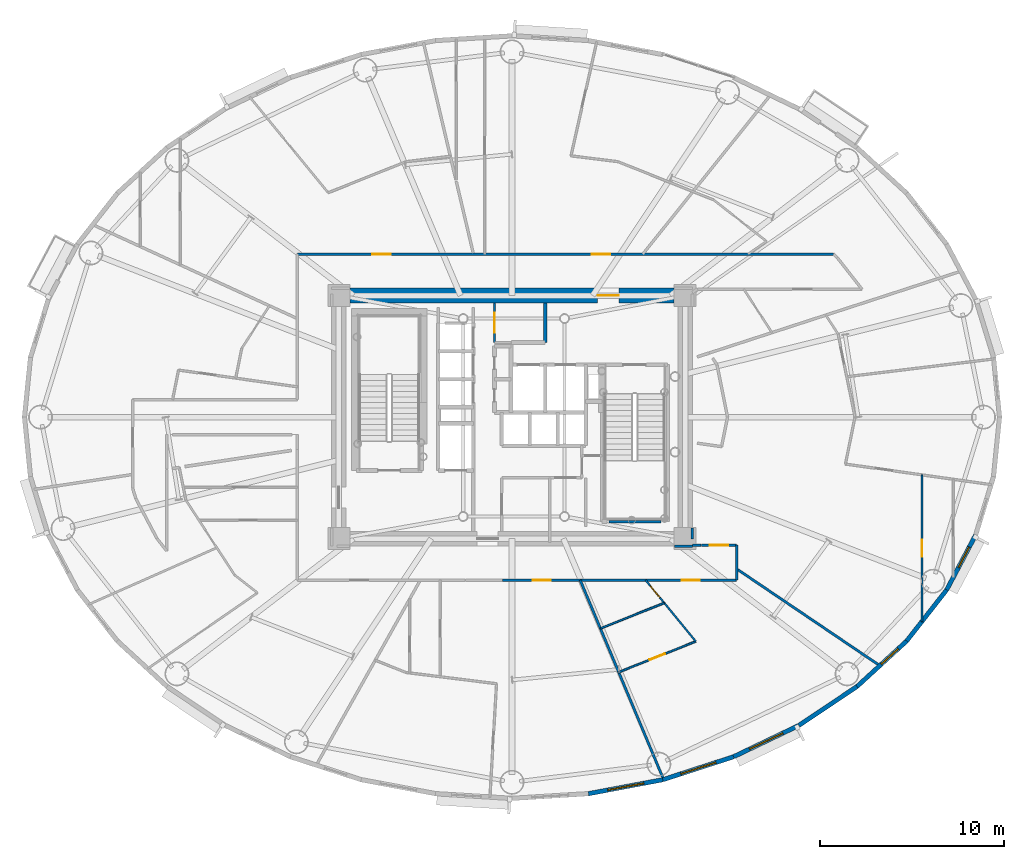
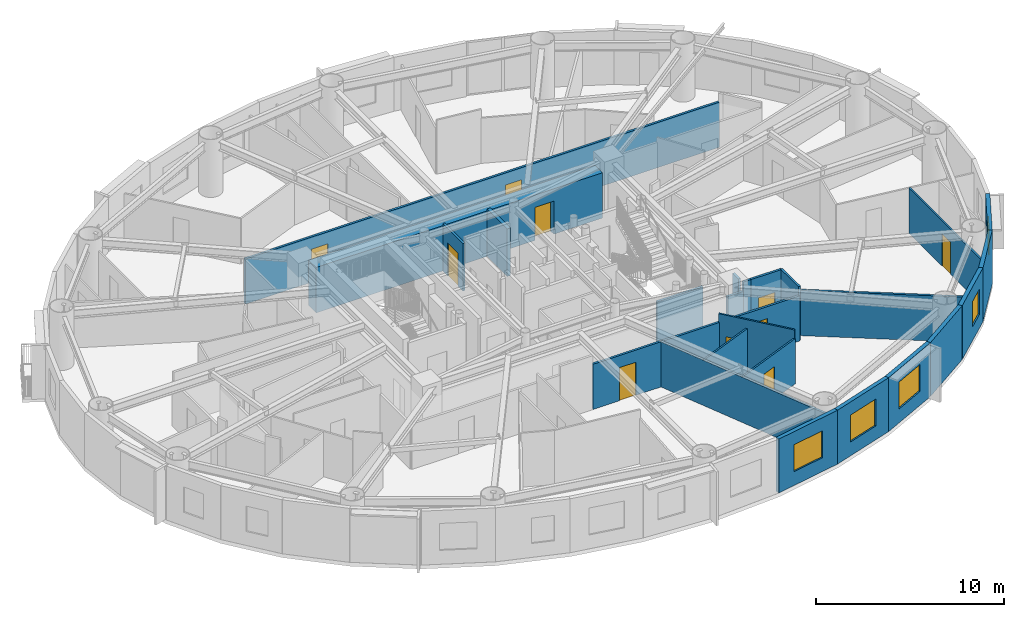
# One storey, part 12 of 21: 24 walls, 10 doors, 5 windows, 15 openings.
"""IFC4 building model written with IfcOpenShell, lengths in metres."""

from ifc_helpers import new_model, si_unit, direction, frame, frame_2d, origin, origin_2d, place, context, subcontext, project, spatial, rectangle, extrude, source, transform, mapped, material, layer, layer_set, type_object, element, fill, save


model = new_model("IFC4")

# Units and contexts
model_context = context("Model", 3, precision=1e-05, world=origin(), true_north=direction((0.0, 1.0)))
body_context = subcontext(model_context, "Body", "Model", "MODEL_VIEW")
ifc_project = project(units=[si_unit("LENGTHUNIT", "METRE"), si_unit("AREAUNIT", "SQUARE_METRE"), si_unit("VOLUMEUNIT", "CUBIC_METRE"), si_unit("PLANEANGLEUNIT", "RADIAN"), si_unit("MASSUNIT", "GRAM", prefix="KILO")], contexts=[model_context])

# Site, building, storey
site_placement = place(None, origin())
site = spatial("IfcSite", under=ifc_project, at=site_placement, CompositionType="ELEMENT")
building_placement = place(site_placement, origin())
building = spatial("IfcBuilding", under=site, at=building_placement, Name="Linh Dai School and Residence Tower", CompositionType="ELEMENT")
storey_placement = place(building_placement, frame((0.0, 0.0, 156.14990234375)))
storey = spatial("IfcBuildingStorey", under=building, at=storey_placement, Name="L37", CompositionType="ELEMENT", Elevation=156.14990234375)

# Wall, opening, window
ifc_material_1 = material(Name="Precast Concrete B45 (C35/45)", Category="concrete")
ifc_layer_1 = layer(ifc_material_1, 0.239990234375)
ifc_layer_set_1 = layer_set([ifc_layer_1], Name="Precast Concrete B45 (C35/45)")
wall_type_1 = type_object("IfcWallType", Name="EW-TC-240", PredefinedType="SOLIDWALL", material=ifc_layer_set_1)
wall_1_placement = place(storey_placement, frame((44.18896484375, 7.310546875, 0.0), z_axis=(0.0, 0.0, 1.0), x_axis=(-0.982788108205, -0.184736391573, 0.0)))
wall_1 = element("IfcWall", 1, at=wall_1_placement, inside=storey, type_object=wall_type_1, Name="L37 Terracotta Exterior Wall 32", PredefinedType="SOLIDWALL", context=body_context, shape_type="SweptSolid", body=[
    extrude(rectangle(XDim=4.114013671875, YDim=0.239990234375, at=frame_2d((2.05712890625, 0.0))), origin(), (0.0, 0.0, 1.0), 3.5),
])
opening_1_placement = place(wall_1_placement, frame((1.044677734375, 0.0, 0.89990234375)))
opening_1 = element("IfcOpeningElement", 2, at=opening_1_placement, cuts=wall_1, Name="Opening W1", PredefinedType="OPENING", context=body_context, shape_type="SweptSolid", body=[
    extrude(rectangle(XDim=2.0, YDim=1.75, at=origin_2d()), frame((1.0, 0.1298828125, 0.875), z_axis=(0.0, -1.0, 0.0), x_axis=(1.0, 0.0, 0.0)), (0.0, 0.0, 1.0), 0.260009765625),
])
ifc_material_2 = material(Name="Double Low-E Insulated Glazing", Category="glass")
window_type_1 = type_object("IfcWindowType", Name="WN-RES-2000x1750", PartitioningType="DOUBLE_PANEL_VERTICAL", PredefinedType="WINDOW", material=ifc_material_2)
shared_shape_1 = source(origin(), body_context, "Body", "SweptSolid", [
    extrude(rectangle(XDim=2.0, YDim=1.75, at=origin_2d()), frame((1.0, 0.030029296875, 0.875), z_axis=(0.0, -1.0, 0.0), x_axis=(1.0, 0.0, 0.0)), (0.0, 0.0, 1.0), 0.06005859375),
])
window_1_placement = place(opening_1_placement, origin())
window_1 = element("IfcWindow", 3, at=window_1_placement, inside=storey, type_object=window_type_1, Name="L37 Exterior Window 32.1", OverallHeight=1.75, OverallWidth=2.0, PartitioningType="DOUBLE_PANEL_VERTICAL", PredefinedType="WINDOW", context=body_context, shape_type="MappedRepresentation", body=[
    mapped(shared_shape_1, transform((0.0, 0.0, 0.0), x_axis=(1.0, 0.0, 0.0), y_axis=(0.0, 1.0, 0.0), z_axis=(0.0, 0.0, 1.0), scale=1.0)),
])
fill(opening_1, window_1)

wall_2_placement = place(storey_placement, frame((48.02978515625, 8.556396484375, 0.0), z_axis=(0.0, 0.0, 1.0), x_axis=(-0.951209870236, -0.30854462038, 0.0)))
wall_2 = element("IfcWall", 4, at=wall_2_placement, inside=storey, type_object=wall_type_1, Name="L37 Terracotta Exterior Wall 33", PredefinedType="SOLIDWALL", context=body_context, shape_type="SweptSolid", body=[
    extrude(rectangle(XDim=4.037841796875, YDim=0.239990234375, at=frame_2d((2.01904296875, 0.0))), origin(), (0.0, 0.0, 1.0), 3.5),
])
opening_2_placement = place(wall_2_placement, frame((1.00634765625, 0.0, 0.89990234375)))
opening_2 = element("IfcOpeningElement", 5, at=opening_2_placement, cuts=wall_2, Name="Opening W1", PredefinedType="OPENING", context=body_context, shape_type="SweptSolid", body=[
    extrude(rectangle(XDim=2.0, YDim=1.75, at=origin_2d()), frame((1.0, 0.1298828125, 0.875), z_axis=(0.0, -1.0, 0.0), x_axis=(1.0, 0.0, 0.0)), (0.0, 0.0, 1.0), 0.260009765625),
])
window_2_placement = place(opening_2_placement, origin())
window_2 = element("IfcWindow", 6, at=window_2_placement, inside=storey, type_object=window_type_1, Name="L37 Exterior Window 33.1", OverallHeight=1.75, OverallWidth=2.0, PartitioningType="DOUBLE_PANEL_VERTICAL", PredefinedType="WINDOW", context=body_context, shape_type="MappedRepresentation", body=[
    mapped(shared_shape_1, transform((0.0, 0.0, 0.0), x_axis=(1.0, 0.0, 0.0), y_axis=(0.0, 1.0, 0.0), z_axis=(0.0, 0.0, 1.0), scale=1.0)),
])
fill(opening_2, window_2)

wall_3_placement = place(storey_placement, frame((51.5732421875, 10.2568359375, 0.0), z_axis=(0.0, 0.0, 1.0), x_axis=(-0.901564733809, -0.432644231155, 0.0)))
wall_3 = element("IfcWall", 7, at=wall_3_placement, inside=storey, type_object=wall_type_1, Name="L37 Terracotta Exterior Wall 34", PredefinedType="SOLIDWALL", context=body_context, shape_type="SweptSolid", body=[
    extrude(rectangle(XDim=3.930419921875, YDim=0.239990234375, at=frame_2d((1.96533203125, 0.0))), origin(), (0.0, 0.0, 1.0), 3.5),
])
opening_3_placement = place(wall_3_placement, frame((0.96533203125, 0.0, 0.89990234375)))
opening_3 = element("IfcOpeningElement", 8, at=opening_3_placement, cuts=wall_3, Name="Opening W1", PredefinedType="OPENING", context=body_context, shape_type="SweptSolid", body=[
    extrude(rectangle(XDim=2.0, YDim=1.75, at=origin_2d()), frame((1.0, 0.1298828125, 0.875), z_axis=(0.0, -1.0, 0.0), x_axis=(1.0, 0.0, 0.0)), (0.0, 0.0, 1.0), 0.260009765625),
])
window_3_placement = place(opening_3_placement, origin())
window_3 = element("IfcWindow", 9, at=window_3_placement, inside=storey, type_object=window_type_1, Name="L37 Exterior Window 34.1", OverallHeight=1.75, OverallWidth=2.0, PartitioningType="DOUBLE_PANEL_VERTICAL", PredefinedType="WINDOW", context=body_context, shape_type="MappedRepresentation", body=[
    mapped(shared_shape_1, transform((0.0, 0.0, 0.0), x_axis=(1.0, 0.0, 0.0), y_axis=(0.0, 1.0, 0.0), z_axis=(0.0, 0.0, 1.0), scale=1.0)),
])
fill(opening_3, window_3)

# Wall
wall_4_placement = place(storey_placement, frame((54.73193359375, 12.369384765625, 0.0), z_axis=(0.0, 0.0, 1.0), x_axis=(-0.831228998277, -0.555930168657, 0.0)))
element("IfcWall", 10, at=wall_4_placement, inside=storey, type_object=wall_type_1, Name="L37 Terracotta Exterior Wall 35", PredefinedType="SOLIDWALL", context=body_context, shape_type="SweptSolid", body=[
    extrude(rectangle(XDim=3.800048828125, YDim=0.239990234375, at=frame_2d((1.89990234375, 0.0))), origin(), (0.0, 0.0, 1.0), 3.5),
])

# Wall, opening, window
wall_5_placement = place(storey_placement, frame((57.42822265625, 14.841552734375, 0.0), z_axis=(0.0, 0.0, 1.0), x_axis=(-0.737076565834, -0.675809245349, 0.0)))
wall_5 = element("IfcWall", 11, at=wall_5_placement, inside=storey, type_object=wall_type_1, Name="L37 Terracotta Exterior Wall 36", PredefinedType="SOLIDWALL", context=body_context, shape_type="SweptSolid", body=[
    extrude(rectangle(XDim=3.658203125, YDim=0.239990234375, at=frame_2d((1.8291015625, 0.0))), origin(), (0.0, 0.0, 1.0), 3.5),
])
opening_4_placement = place(wall_5_placement, frame((0.62060546875, 0.0, 0.89990234375)))
opening_4 = element("IfcOpeningElement", 12, at=opening_4_placement, cuts=wall_5, Name="Opening W3", PredefinedType="OPENING", context=body_context, shape_type="SweptSolid", body=[
    extrude(rectangle(XDim=1.25, YDim=1.64990234375, at=origin_2d()), frame((0.625, 0.1298828125, 0.824951171875), z_axis=(0.0, -1.0, 0.0), x_axis=(1.0, 0.0, 0.0)), (0.0, 0.0, 1.0), 0.260009765625),
])
window_type_2 = type_object("IfcWindowType", Name="WN-RES-1250x1650", PartitioningType="SINGLE_PANEL", PredefinedType="WINDOW", material=ifc_material_2)
shared_shape_2 = source(origin(), body_context, "Body", "SweptSolid", [
    extrude(rectangle(XDim=1.25, YDim=1.64990234375, at=origin_2d()), frame((0.625, 0.030029296875, 0.824951171875), z_axis=(0.0, -1.0, 0.0), x_axis=(1.0, 0.0, 0.0)), (0.0, 0.0, 1.0), 0.06005859375),
])
window_4_placement = place(opening_4_placement, origin())
window_4 = element("IfcWindow", 13, at=window_4_placement, inside=storey, type_object=window_type_2, Name="L37 Dwelling Window U3708-LIV", OverallHeight=1.64990234375, OverallWidth=1.25, PartitioningType="SINGLE_PANEL", PredefinedType="WINDOW", context=body_context, shape_type="MappedRepresentation", body=[
    mapped(shared_shape_2, transform((0.0, 0.0, 0.0), x_axis=(1.0, 0.0, 0.0), y_axis=(0.0, 1.0, 0.0), z_axis=(0.0, 0.0, 1.0), scale=1.0)),
])
fill(opening_4, window_4)

# Wall
wall_6_placement = place(storey_placement, frame((59.595947265625, 17.611572265625, 0.0), z_axis=(0.0, 0.0, 1.0), x_axis=(-0.616287674549, -0.787521112224, 0.0)))
element("IfcWall", 14, at=wall_6_placement, inside=storey, type_object=wall_type_1, Name="L37 Terracotta Exterior Wall 37", PredefinedType="SOLIDWALL", context=body_context, shape_type="SweptSolid", body=[
    extrude(rectangle(XDim=3.517333984375, YDim=0.239990234375, at=frame_2d((1.7587890625, 0.0))), origin(), (0.0, 0.0, 1.0), 3.5),
])

# Wall, opening, window
wall_7_placement = place(storey_placement, frame((61.1826171875, 20.611083984375, 0.0), z_axis=(0.0, 0.0, 1.0), x_axis=(-0.467586874938, -0.88394712194, 0.0)))
wall_7 = element("IfcWall", 15, at=wall_7_placement, inside=storey, type_object=wall_type_1, Name="L37 Terracotta Exterior Wall 38", PredefinedType="SOLIDWALL", context=body_context, shape_type="SweptSolid", body=[
    extrude(rectangle(XDim=3.393310546875, YDim=0.239990234375, at=frame_2d((1.69677734375, 0.0))), origin(), (0.0, 0.0, 1.0), 3.5),
])
opening_5_placement = place(wall_7_placement, frame((0.75927734375, 0.0, 0.89990234375)))
opening_5 = element("IfcOpeningElement", 16, at=opening_5_placement, cuts=wall_7, Name="Opening W3", PredefinedType="OPENING", context=body_context, shape_type="SweptSolid", body=[
    extrude(rectangle(XDim=1.25, YDim=1.64990234375, at=origin_2d()), frame((0.625, 0.1298828125, 0.824951171875), z_axis=(0.0, -1.0, 0.0), x_axis=(1.0, 0.0, 0.0)), (0.0, 0.0, 1.0), 0.260009765625),
])
window_5_placement = place(opening_5_placement, origin())
window_5 = element("IfcWindow", 17, at=window_5_placement, inside=storey, type_object=window_type_2, Name="L37 Exterior Window 38.1", OverallHeight=1.64990234375, OverallWidth=1.25, PartitioningType="SINGLE_PANEL", PredefinedType="WINDOW", context=body_context, shape_type="MappedRepresentation", body=[
    mapped(shared_shape_2, transform((0.0, 0.0, 0.0), x_axis=(1.0, 0.0, 0.0), y_axis=(0.0, 1.0, 0.0), z_axis=(0.0, 0.0, 1.0), scale=1.0)),
])
fill(opening_5, window_5)

# Wall, openings, doors
ifc_material_3 = material(Name="Autoclaved Aerated Concrete Blockwork", Category="masonry")
ifc_layer_2 = layer(ifc_material_3, 0.135009765625)
ifc_layer_set_2 = layer_set([ifc_layer_2], Name="Autoclaved Aerated Concrete Blockwork")
wall_type_2 = type_object("IfcWallType", Name="IW-CORR-135-EI90", PredefinedType="PARTITIONING", material=ifc_layer_set_2)
wall_8_placement = place(storey_placement, frame((24.35009765625, 35.85009765625, 0.0), z_axis=(0.0, 0.0, 1.0), x_axis=(1.0, 0.0, 0.0)))
wall_8 = element("IfcWall", 18, at=wall_8_placement, inside=storey, type_object=wall_type_2, Name="L37 Interior Partition Wall 026", PredefinedType="PARTITIONING", context=body_context, shape_type="SweptSolid", body=[
    extrude(rectangle(XDim=29.103759765625, YDim=0.135009765625, at=frame_2d((14.5517578125, 0.0))), origin(), (0.0, 0.0, 1.0), 2.93505859375),
])
opening_6_placement = place(wall_8_placement, frame((15.9716796875, 0.0, 0.0)))
opening_6 = element("IfcOpeningElement", 19, at=opening_6_placement, cuts=wall_8, Name="Opening D03", PredefinedType="OPENING", context=body_context, shape_type="SweptSolid", body=[
    extrude(rectangle(XDim=1.0, YDim=2.14990234375, at=origin_2d()), frame((0.5, 0.07763671875, 1.074951171875), z_axis=(0.0, -1.0, 0.0), x_axis=(1.0, 0.0, 0.0)), (0.0, 0.0, 1.0), 0.155029296875),
])
opening_7_placement = place(wall_8_placement, frame((4.07421875, 0.0, 0.0)))
opening_7 = element("IfcOpeningElement", 20, at=opening_7_placement, cuts=wall_8, Name="Opening D03", PredefinedType="OPENING", context=body_context, shape_type="SweptSolid", body=[
    extrude(rectangle(XDim=1.0, YDim=2.14990234375, at=origin_2d()), frame((0.5, 0.07763671875, 1.074951171875), z_axis=(0.0, -1.0, 0.0), x_axis=(1.0, 0.0, 0.0)), (0.0, 0.0, 1.0), 0.155029296875),
])
ifc_material_4 = material(Name="Fire-Rated Solid Timber Entrance Door", Category="wood")
door_type_1 = type_object("IfcDoorType", Name="DR-FLAT-1000x2150-FD60S", OperationType="NOTDEFINED", PredefinedType="DOOR", material=ifc_material_4)
shared_shape_3 = source(origin(), body_context, "Body", "SweptSolid", [
    extrude(rectangle(XDim=1.0, YDim=2.14990234375, at=origin_2d()), frame((0.5, 0.02490234375, 1.074951171875), z_axis=(0.0, -1.0, 0.0), x_axis=(1.0, 0.0, 0.0)), (0.0, 0.0, 1.0), 0.050048828125),
])
door_1_placement = place(opening_6_placement, origin())
door_1 = element("IfcDoor", 21, at=door_1_placement, inside=storey, type_object=door_type_1, Name="L37 U3702 Apartment Entrance Door", OperationType="SINGLE_SWING_RIGHT", OverallHeight=2.14990234375, OverallWidth=1.0, PredefinedType="DOOR", context=body_context, shape_type="MappedRepresentation", body=[
    mapped(shared_shape_3, transform((0.0, 0.0, 0.0), x_axis=(1.0, 0.0, 0.0), y_axis=(0.0, 1.0, 0.0), z_axis=(0.0, 0.0, 1.0), scale=1.0)),
])
fill(opening_6, door_1)
door_2_placement = place(opening_7_placement, origin())
door_2 = element("IfcDoor", 22, at=door_2_placement, inside=storey, type_object=door_type_1, Name="L37 U3703 Apartment Entrance Door", OperationType="SINGLE_SWING_RIGHT", OverallHeight=2.14990234375, OverallWidth=1.0, PredefinedType="DOOR", context=body_context, shape_type="MappedRepresentation", body=[
    mapped(shared_shape_3, transform((0.0, 0.0, 0.0), x_axis=(1.0, 0.0, 0.0), y_axis=(0.0, 1.0, 0.0), z_axis=(0.0, 0.0, 1.0), scale=1.0)),
])
fill(opening_7, door_2)

# Wall, opening, door
wall_9_placement = place(storey_placement, frame((35.050048828125, 31.050048828125, 0.0), z_axis=(0.0, 0.0, 1.0), x_axis=(0.0, 1.0, 0.0)))
wall_9 = element("IfcWall", 23, at=wall_9_placement, inside=storey, type_object=wall_type_2, Name="L37 Interior Partition Wall 052", PredefinedType="PARTITIONING", context=body_context, shape_type="SweptSolid", body=[
    extrude(rectangle(XDim=2.14990234375, YDim=0.135009765625, at=frame_2d((1.074951171875, 0.0))), origin(), (0.0, 0.0, 1.0), 3.085205078125),
])
opening_8_placement = place(wall_9_placement, frame((0.52490234375, 0.0, 0.0)))
opening_8 = element("IfcOpeningElement", 24, at=opening_8_placement, cuts=wall_9, Name="Opening D07", PredefinedType="OPENING", context=body_context, shape_type="SweptSolid", body=[
    extrude(rectangle(XDim=1.10009765625, YDim=2.14990234375, at=origin_2d()), frame((0.550048828125, 0.07763671875, 1.074951171875), z_axis=(0.0, -1.0, 0.0), x_axis=(1.0, 0.0, 0.0)), (0.0, 0.0, 1.0), 0.155029296875),
])
ifc_material_5 = material(Name="Fire-Rated Louvred Steel Plant Door", Category="steel")
door_type_2 = type_object("IfcDoorType", Name="DR-PLT-1100x2150-FD60S", OperationType="NOTDEFINED", PredefinedType="DOOR", material=ifc_material_5)
shared_shape_4 = source(origin(), body_context, "Body", "SweptSolid", [
    extrude(rectangle(XDim=1.10009765625, YDim=2.14990234375, at=origin_2d()), frame((0.550048828125, 0.02490234375, 1.074951171875), z_axis=(0.0, -1.0, 0.0), x_axis=(1.0, 0.0, 0.0)), (0.0, 0.0, 1.0), 0.050048828125),
])
door_3_placement = place(opening_8_placement, origin())
door_3 = element("IfcDoor", 25, at=door_3_placement, inside=storey, type_object=door_type_2, Name="L37 North Telecom Switchroom Door", OperationType="SINGLE_SWING_RIGHT", OverallHeight=2.14990234375, OverallWidth=1.10009765625, PredefinedType="DOOR", context=body_context, shape_type="MappedRepresentation", body=[
    mapped(shared_shape_4, transform((0.0, 0.0, 0.0), x_axis=(1.0, 0.0, 0.0), y_axis=(0.0, 1.0, 0.0), z_axis=(0.0, 0.0, 1.0), scale=1.0)),
])
fill(opening_8, door_3)

# Wall, openings, doors
wall_10_placement = place(storey_placement, frame((35.48583984375, 18.14990234375, 0.0), z_axis=(0.0, 0.0, 1.0), x_axis=(1.0, 0.0, 0.0)))
wall_10 = element("IfcWall", 26, at=wall_10_placement, inside=storey, type_object=wall_type_2, Name="L37 Interior Partition Wall 058", PredefinedType="PARTITIONING", context=body_context, shape_type="SweptSolid", body=[
    extrude(rectangle(XDim=12.714111328125, YDim=0.135009765625, at=frame_2d((6.35693359375, 0.0))), origin(), (0.0, 0.0, 1.0), 2.93505859375),
])
opening_9_placement = place(wall_10_placement, frame((1.6279296875, 0.0, 0.0)))
opening_9 = element("IfcOpeningElement", 27, at=opening_9_placement, cuts=wall_10, Name="Opening D03", PredefinedType="OPENING", context=body_context, shape_type="SweptSolid", body=[
    extrude(rectangle(XDim=1.0, YDim=2.14990234375, at=origin_2d()), frame((0.5, 0.07763671875, 1.074951171875), z_axis=(0.0, -1.0, 0.0), x_axis=(1.0, 0.0, 0.0)), (0.0, 0.0, 1.0), 0.155029296875),
])
opening_10_placement = place(wall_10_placement, frame((9.71923828125, 0.0, 0.0)))
opening_10 = element("IfcOpeningElement", 28, at=opening_10_placement, cuts=wall_10, Name="Opening D03", PredefinedType="OPENING", context=body_context, shape_type="SweptSolid", body=[
    extrude(rectangle(XDim=1.0, YDim=2.14990234375, at=origin_2d()), frame((0.5, 0.07763671875, 1.074951171875), z_axis=(0.0, -1.0, 0.0), x_axis=(1.0, 0.0, 0.0)), (0.0, 0.0, 1.0), 0.155029296875),
])
door_4_placement = place(opening_9_placement, origin())
door_4 = element("IfcDoor", 29, at=door_4_placement, inside=storey, type_object=door_type_1, Name="L37 U3706 Apartment Entrance Door", OperationType="SINGLE_SWING_RIGHT", OverallHeight=2.14990234375, OverallWidth=1.0, PredefinedType="DOOR", context=body_context, shape_type="MappedRepresentation", body=[
    mapped(shared_shape_3, transform((0.0, 0.0, 0.0), x_axis=(1.0, 0.0, 0.0), y_axis=(0.0, 1.0, 0.0), z_axis=(0.0, 0.0, 1.0), scale=1.0)),
])
fill(opening_9, door_4)
door_5_placement = place(opening_10_placement, origin())
door_5 = element("IfcDoor", 30, at=door_5_placement, inside=storey, type_object=door_type_1, Name="L37 U3707 Apartment Entrance Door", OperationType="SINGLE_SWING_RIGHT", OverallHeight=2.14990234375, OverallWidth=1.0, PredefinedType="DOOR", context=body_context, shape_type="MappedRepresentation", body=[
    mapped(shared_shape_3, transform((0.0, 0.0, 0.0), x_axis=(1.0, 0.0, 0.0), y_axis=(0.0, 1.0, 0.0), z_axis=(0.0, 0.0, 1.0), scale=1.0)),
])
fill(opening_10, door_5)

# Wall
wall_11_placement = place(storey_placement, frame((39.701904296875, 18.14990234375, 0.0), z_axis=(0.0, 0.0, 1.0), x_axis=(0.385887872902, -0.92254568968, 0.0)))
element("IfcWall", 31, at=wall_11_placement, inside=storey, type_object=wall_type_2, Name="L37 Interior Partition Wall 069", PredefinedType="PARTITIONING", context=body_context, shape_type="SweptSolid", body=[
    extrude(rectangle(XDim=11.739990234375, YDim=0.135009765625, at=frame_2d((5.8701171875, 0.0))), origin(), (0.0, 0.0, 1.0), 2.93505859375),
])

# Wall, opening, door
wall_12_placement = place(storey_placement, frame((46.28515625, 20.050048828125, 0.0), z_axis=(0.0, 0.0, 1.0), x_axis=(1.0, 0.0, 0.0)))
wall_12 = element("IfcWall", 32, at=wall_12_placement, inside=storey, type_object=wall_type_2, Name="L37 Interior Partition Wall 083", PredefinedType="PARTITIONING", context=body_context, shape_type="SweptSolid", body=[
    extrude(rectangle(XDim=1.914794921875, YDim=0.135009765625, at=frame_2d((0.95751953125, 0.0))), origin(), (0.0, 0.0, 1.0), 3.5),
])
opening_11_placement = place(wall_12_placement, frame((0.45751953125, 0.0, 0.0)))
opening_11 = element("IfcOpeningElement", 33, at=opening_11_placement, cuts=wall_12, Name="Opening D03", PredefinedType="OPENING", context=body_context, shape_type="SweptSolid", body=[
    extrude(rectangle(XDim=1.0, YDim=2.14990234375, at=origin_2d()), frame((0.5, 0.07763671875, 1.074951171875), z_axis=(0.0, -1.0, 0.0), x_axis=(1.0, 0.0, 0.0)), (0.0, 0.0, 1.0), 0.155029296875),
])
door_6_placement = place(opening_11_placement, origin())
door_6 = element("IfcDoor", 34, at=door_6_placement, inside=storey, type_object=door_type_1, Name="L37 U3708 Apartment Entrance Door", OperationType="SINGLE_SWING_LEFT", OverallHeight=2.14990234375, OverallWidth=1.0, PredefinedType="DOOR", context=body_context, shape_type="MappedRepresentation", body=[
    mapped(shared_shape_3, transform((0.0, 0.0, 0.0), x_axis=(1.0, 0.0, 0.0), y_axis=(0.0, 1.0, 0.0), z_axis=(0.0, 0.0, 1.0), scale=1.0)),
])
fill(opening_11, door_6)

# Walls
wall_13_placement = place(storey_placement, frame((48.199951171875, 18.14990234375, 0.0), z_axis=(0.0, 0.0, 1.0), x_axis=(0.0, 1.0, 0.0)))
element("IfcWall", 35, at=wall_13_placement, inside=storey, type_object=wall_type_2, Name="L37 Interior Partition Wall 086", PredefinedType="PARTITIONING", context=body_context, shape_type="SweptSolid", body=[
    extrude(rectangle(XDim=1.900146484375, YDim=0.135009765625, at=frame_2d((0.9501953125, 0.0))), origin(), (0.0, 0.0, 1.0), 3.5),
])
wall_14_placement = place(storey_placement, frame((48.199951171875, 18.756103515625, 0.0), z_axis=(0.0, 0.0, 1.0), x_axis=(0.828559609568, -0.559900860325, 0.0)))
element("IfcWall", 36, at=wall_14_placement, inside=storey, type_object=wall_type_2, Name="L37 Interior Partition Wall 087", PredefinedType="PARTITIONING", context=body_context, shape_type="SweptSolid", body=[
    extrude(rectangle(XDim=9.383544921875, YDim=0.135009765625, at=frame_2d((4.69189453125, 0.0))), origin(), (0.0, 0.0, 1.0), 2.93505859375),
])
wall_15_placement = place(storey_placement, frame((44.080078125, 21.330078125, 0.0), z_axis=(0.0, 0.0, 1.0), x_axis=(-1.0, 0.0, 0.0)))
element("IfcWall", 37, at=wall_15_placement, inside=storey, type_object=wall_type_2, Name="L37 Interior Partition Wall 099", PredefinedType="PARTITIONING", context=body_context, shape_type="SweptSolid", body=[
    extrude(rectangle(XDim=2.820068359375, YDim=0.135009765625, at=frame_2d((1.41015625, 0.0))), origin(), (0.0, 0.0, 1.0), 3.03515625),
])
wall_16_placement = place(storey_placement, frame((44.81005859375, 20.0, 0.0), z_axis=(0.0, 0.0, 1.0), x_axis=(1.0, 0.0, 0.0)))
element("IfcWall", 38, at=wall_16_placement, inside=storey, type_object=wall_type_2, Name="L37 Interior Partition Wall 110", PredefinedType="PARTITIONING", context=body_context, shape_type="SweptSolid", body=[
    extrude(rectangle(XDim=0.989990234375, YDim=0.135009765625, at=frame_2d((0.4951171875, 0.0))), origin(), (0.0, 0.0, 1.0), 2.93505859375),
])
wall_17_placement = place(storey_placement, frame((45.81005859375, 20.050048828125, 0.0), z_axis=(0.0, 0.0, 1.0), x_axis=(1.0, 0.0, 0.0)))
element("IfcWall", 39, at=wall_17_placement, inside=storey, type_object=wall_type_2, Name="L37 Interior Partition Wall 111", PredefinedType="PARTITIONING", context=body_context, shape_type="SweptSolid", body=[
    extrude(rectangle(XDim=0.465087890625, YDim=0.135009765625, at=frame_2d((0.232421875, 0.0))), origin(), (0.0, 0.0, 1.0), 3.5),
])
wall_18_placement = place(storey_placement, frame((45.800048828125, 20.3779296875, 0.0), z_axis=(0.0, 0.0, 1.0), x_axis=(0.0, 1.0, 0.0)))
element("IfcWall", 40, at=wall_18_placement, inside=storey, type_object=wall_type_2, Name="L37 Interior Partition Wall 120", PredefinedType="PARTITIONING", context=body_context, shape_type="SweptSolid", body=[
    extrude(rectangle(XDim=0.612060546875, YDim=0.135009765625, at=frame_2d((0.30615234375, 0.0))), origin(), (0.0, 0.0, 1.0), 3.5),
])
ifc_material_6 = material(Name="Concrete B45 (C35/45)", Category="concrete")
ifc_layer_3 = layer(ifc_material_6, 0.199951171875)
ifc_layer_set_3 = layer_set([ifc_layer_3], Name="Concrete B45 (C35/45)")
wall_type_3 = type_object("IfcWallType", Name="IW-SHAFT-200-EI120", PredefinedType="PARTITIONING", material=ifc_layer_set_3)
wall_19_placement = place(storey_placement, frame((37.800048828125, 31.050048828125, 0.0), z_axis=(0.0, 0.0, 1.0), x_axis=(0.0, 1.0, 0.0)))
element("IfcWall", 41, at=wall_19_placement, inside=storey, type_object=wall_type_3, Name="L37 Interior Partition Wall 064", PredefinedType="PARTITIONING", context=body_context, shape_type="SweptSolid", body=[
    extrude(rectangle(XDim=2.14990234375, YDim=0.199951171875, at=frame_2d((1.074951171875, 0.0))), origin(), (0.0, 0.0, 1.0), 3.085205078125),
])
ifc_material_7 = material(Name="Gypsum Plasterboard Acoustic Stud Partition", Category="masonry")
ifc_layer_4 = layer(ifc_material_7, 0.10009765625)
ifc_layer_set_4 = layer_set([ifc_layer_4], Name="Gypsum Plasterboard Acoustic Stud Partition")
wall_type_4 = type_object("IfcWallType", Name="IW-UNIT-100", PredefinedType="PARTITIONING", material=ifc_layer_set_4)
wall_20_placement = place(storey_placement, frame((40.800537109375, 15.523193359375, 0.0), z_axis=(0.0, 0.0, 1.0), x_axis=(0.928814511675, 0.370545007931, 0.0)))
element("IfcWall", 42, at=wall_20_placement, inside=storey, type_object=wall_type_4, Name="L37 Interior Partition Wall 074", PredefinedType="PARTITIONING", context=body_context, shape_type="SweptSolid", body=[
    extrude(rectangle(XDim=3.73388671875, YDim=0.10009765625, at=frame_2d((1.866943359375, 0.0))), origin(), (0.0, 0.0, 1.0), 2.93505859375),
])

# Wall, opening, door
wall_21_placement = place(storey_placement, frame((41.7939453125, 13.148681640625, 0.0), z_axis=(0.0, 0.0, 1.0), x_axis=(0.928797683311, 0.370587187415, 0.0)))
wall_21 = element("IfcWall", 43, at=wall_21_placement, inside=storey, type_object=wall_type_4, Name="L37 Interior Partition Wall 078", PredefinedType="PARTITIONING", context=body_context, shape_type="SweptSolid", body=[
    extrude(rectangle(XDim=4.506103515625, YDim=0.10009765625, at=frame_2d((2.2529296875, 0.0))), origin(), (0.0, 0.0, 1.0), 2.93505859375),
])
opening_12_placement = place(wall_21_placement, frame((1.80322265625, 0.0, 0.0)))
opening_12 = element("IfcOpeningElement", 44, at=opening_12_placement, cuts=wall_21, Name="Opening D05", PredefinedType="OPENING", context=body_context, shape_type="SweptSolid", body=[
    extrude(rectangle(XDim=0.89990234375, YDim=2.10009765625, at=origin_2d()), frame((0.449951171875, 0.06005859375, 1.050048828125), z_axis=(0.0, -1.0, 0.0), x_axis=(1.0, 0.0, 0.0)), (0.0, 0.0, 1.0), 0.1201171875),
])
ifc_material_8 = material(Name="Engineered Timber Internal Door", Category="wood")
door_type_3 = type_object("IfcDoorType", Name="DR-INT-900x2100", OperationType="NOTDEFINED", PredefinedType="DOOR", material=ifc_material_8)
shared_shape_5 = source(origin(), body_context, "Body", "SweptSolid", [
    extrude(rectangle(XDim=0.89990234375, YDim=2.10009765625, at=origin_2d()), frame((0.449951171875, 0.02490234375, 1.050048828125), z_axis=(0.0, -1.0, 0.0), x_axis=(1.0, 0.0, 0.0)), (0.0, 0.0, 1.0), 0.050048828125),
])
door_7_placement = place(opening_12_placement, origin())
door_7 = element("IfcDoor", 45, at=door_7_placement, inside=storey, type_object=door_type_3, Name="L37 Apartment U3707 Kitchen Door", OperationType="SINGLE_SWING_RIGHT", OverallHeight=2.10009765625, OverallWidth=0.89990234375, PredefinedType="DOOR", context=body_context, shape_type="MappedRepresentation", body=[
    mapped(shared_shape_5, transform((0.0, 0.0, 0.0), x_axis=(1.0, 0.0, 0.0), y_axis=(0.0, 1.0, 0.0), z_axis=(0.0, 0.0, 1.0), scale=1.0)),
])
fill(opening_12, door_7)

wall_22_placement = place(storey_placement, frame((43.250244140625, 18.14990234375, 0.0), z_axis=(0.0, 0.0, 1.0), x_axis=(0.633743940899, -0.773542899505, 0.0)))
wall_22 = element("IfcWall", 46, at=wall_22_placement, inside=storey, type_object=wall_type_4, Name="L37 Interior Partition Wall 080", PredefinedType="PARTITIONING", context=body_context, shape_type="SweptSolid", body=[
    extrude(rectangle(XDim=4.306640625, YDim=0.10009765625, at=frame_2d((2.1533203125, 0.0))), origin(), (0.0, 0.0, 1.0), 3.5),
])
opening_13_placement = place(wall_22_placement, frame((0.41357421875, 0.0, 0.0)))
opening_13 = element("IfcOpeningElement", 47, at=opening_13_placement, cuts=wall_22, Name="Opening D06", PredefinedType="OPENING", context=body_context, shape_type="SweptSolid", body=[
    extrude(rectangle(XDim=0.820068359375, YDim=2.10009765625, at=origin_2d()), frame((0.41015625, 0.06005859375, 1.050048828125), z_axis=(0.0, -1.0, 0.0), x_axis=(1.0, 0.0, 0.0)), (0.0, 0.0, 1.0), 0.1201171875),
])
ifc_material_9 = material(Name="Moisture-Resistant Timber Bathroom Door", Category="wood")
door_type_4 = type_object("IfcDoorType", Name="DR-WET-820x2100", OperationType="NOTDEFINED", PredefinedType="DOOR", material=ifc_material_9)
shared_shape_6 = source(origin(), body_context, "Body", "SweptSolid", [
    extrude(rectangle(XDim=0.820068359375, YDim=2.10009765625, at=origin_2d()), frame((0.41015625, 0.02490234375, 1.050048828125), z_axis=(0.0, -1.0, 0.0), x_axis=(1.0, 0.0, 0.0)), (0.0, 0.0, 1.0), 0.050048828125),
])
door_8_placement = place(opening_13_placement, origin())
door_8 = element("IfcDoor", 48, at=door_8_placement, inside=storey, type_object=door_type_4, Name="L37 Apartment U3707 Bathroom Door", OperationType="SINGLE_SWING_LEFT", OverallHeight=2.10009765625, OverallWidth=0.820068359375, PredefinedType="DOOR", context=body_context, shape_type="MappedRepresentation", body=[
    mapped(shared_shape_6, transform((0.0, 0.0, 0.0), x_axis=(1.0, 0.0, 0.0), y_axis=(0.0, 1.0, 0.0), z_axis=(0.0, 0.0, 1.0), scale=1.0)),
])
fill(opening_13, door_8)

wall_23_placement = place(storey_placement, frame((58.26171875, 15.898681640625, 0.0), z_axis=(0.0, 0.0, 1.0), x_axis=(0.0, 1.0, 0.0)))
wall_23 = element("IfcWall", 49, at=wall_23_placement, inside=storey, type_object=wall_type_4, Name="L37 Interior Partition Wall 097", PredefinedType="PARTITIONING", context=body_context, shape_type="SweptSolid", body=[
    extrude(rectangle(XDim=7.963134765625, YDim=0.10009765625, at=frame_2d((3.9814453125, 0.0))), origin(), (0.0, 0.0, 1.0), 2.93505859375),
])
opening_14_placement = place(wall_23_placement, frame((3.531494140625, 0.0, 0.0)))
opening_14 = element("IfcOpeningElement", 50, at=opening_14_placement, cuts=wall_23, Name="Opening D05", PredefinedType="OPENING", context=body_context, shape_type="SweptSolid", body=[
    extrude(rectangle(XDim=0.89990234375, YDim=2.10009765625, at=origin_2d()), frame((0.449951171875, 0.06005859375, 1.050048828125), z_axis=(0.0, -1.0, 0.0), x_axis=(1.0, 0.0, 0.0)), (0.0, 0.0, 1.0), 0.1201171875),
])
door_9_placement = place(opening_14_placement, origin())
door_9 = element("IfcDoor", 51, at=door_9_placement, inside=storey, type_object=door_type_3, Name="L37 Apartment U3708 Kitchen Door", OperationType="SINGLE_SWING_RIGHT", OverallHeight=2.10009765625, OverallWidth=0.89990234375, PredefinedType="DOOR", context=body_context, shape_type="MappedRepresentation", body=[
    mapped(shared_shape_5, transform((0.0, 0.0, 0.0), x_axis=(1.0, 0.0, 0.0), y_axis=(0.0, 1.0, 0.0), z_axis=(0.0, 0.0, 1.0), scale=1.0)),
])
fill(opening_14, door_9)

ifc_material_10 = material(Name="Concrete B60 (C50/60)", Category="concrete")
ifc_layer_5 = layer(ifc_material_10, 0.800048828125)
ifc_layer_set_5 = layer_set([ifc_layer_5], Name="Concrete B60 (C50/60)")
wall_type_5 = type_object("IfcWallType", Name="WL-CORE800", PredefinedType="SHEAR", material=ifc_layer_set_5)
wall_24_placement = place(storey_placement, frame((27.199951171875, 33.60009765625, 0.0), z_axis=(0.0, 0.0, 1.0), x_axis=(1.0, 0.0, 0.0)))
wall_24 = element("IfcWall", 52, at=wall_24_placement, inside=storey, type_object=wall_type_5, Name="L37 Central Core Shear Wall N", PredefinedType="SHEAR", context=body_context, shape_type="SweptSolid", body=[
    extrude(rectangle(XDim=17.60009765625, YDim=0.800048828125, at=frame_2d((8.800048828125, 0.0))), origin(), (0.0, 0.0, 1.0), 2.9501953125),
])
opening_15_placement = place(wall_24_placement, frame((13.449951171875, 0.0, 0.0)))
opening_15 = element("IfcOpeningElement", 53, at=opening_15_placement, cuts=wall_24, Name="Opening D02", PredefinedType="OPENING", context=body_context, shape_type="SweptSolid", body=[
    extrude(rectangle(XDim=1.14990234375, YDim=2.14990234375, at=origin_2d()), frame((0.574951171875, 0.41015625, 1.074951171875), z_axis=(0.0, -1.0, 0.0), x_axis=(1.0, 0.0, 0.0)), (0.0, 0.0, 1.0), 0.820068359375),
])
ifc_material_11 = material(Name="Fire-Rated Glazed Steel Lobby Door", Category="steel")
door_type_5 = type_object("IfcDoorType", Name="DR-LOBBY-1150x2150-FD90S", OperationType="NOTDEFINED", PredefinedType="DOOR", material=ifc_material_11)
shared_shape_7 = source(origin(), body_context, "Body", "SweptSolid", [
    extrude(rectangle(XDim=1.14990234375, YDim=2.14990234375, at=origin_2d()), frame((0.574951171875, 0.02490234375, 1.074951171875), z_axis=(0.0, -1.0, 0.0), x_axis=(1.0, 0.0, 0.0)), (0.0, 0.0, 1.0), 0.050048828125),
])
door_10_placement = place(opening_15_placement, origin())
door_10 = element("IfcDoor", 54, at=door_10_placement, inside=storey, type_object=door_type_5, Name="L37 Firefighting Lobby Door", OperationType="SINGLE_SWING_LEFT", OverallHeight=2.14990234375, OverallWidth=1.14990234375, PredefinedType="DOOR", context=body_context, shape_type="MappedRepresentation", body=[
    mapped(shared_shape_7, transform((0.0, 0.0, 0.0), x_axis=(1.0, 0.0, 0.0), y_axis=(0.0, 1.0, 0.0), z_axis=(0.0, 0.0, 1.0), scale=1.0)),
])
fill(opening_15, door_10)

save(model, "model.ifc")
